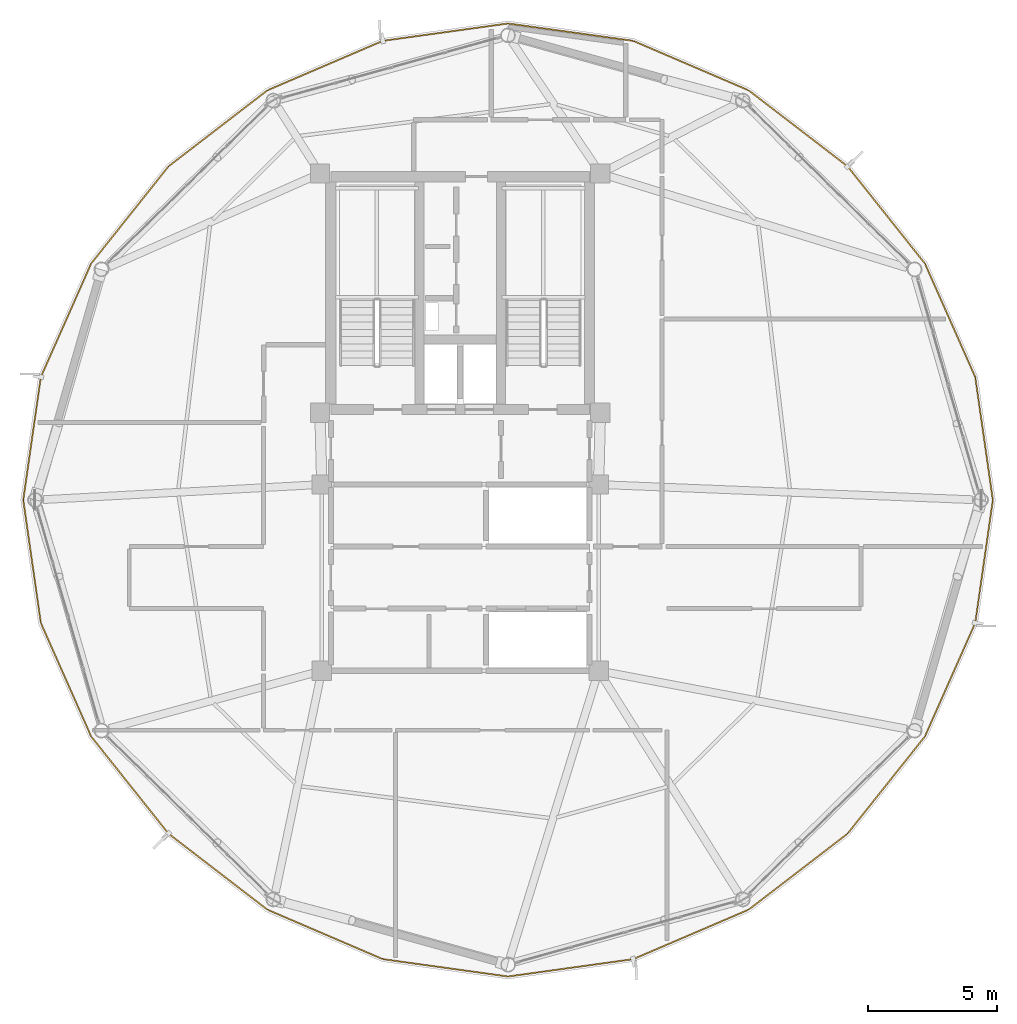
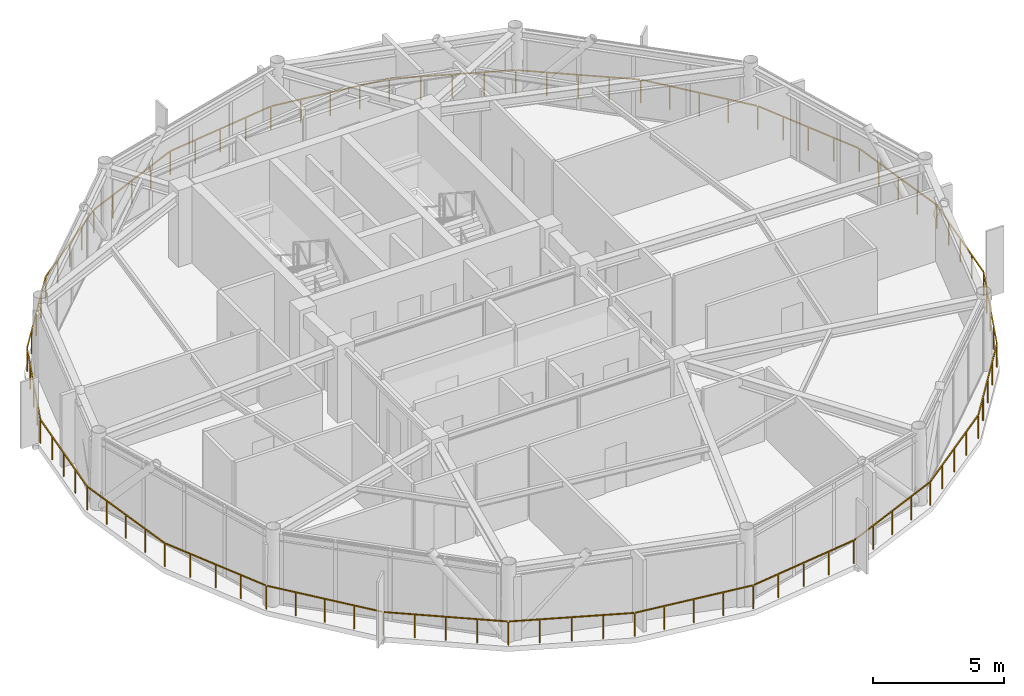
# One storey, part 24 of 25: 1 railing.
"""IFC4 building model written with IfcOpenShell, lengths in metres."""

from ifc_helpers import new_model, si_unit, direction, frame, origin, origin_2d, place, context, subcontext, project, spatial, rectangle, extrude, material, type_object, element, save


model = new_model("IFC4")

# Units and contexts
model_context = context("Model", 3, precision=1e-05, world=origin(), true_north=direction((0.0, 1.0)))
body_context = subcontext(model_context, "Body", "Model", "MODEL_VIEW")
ifc_project = project(units=[si_unit("LENGTHUNIT", "METRE"), si_unit("AREAUNIT", "SQUARE_METRE"), si_unit("VOLUMEUNIT", "CUBIC_METRE"), si_unit("PLANEANGLEUNIT", "RADIAN"), si_unit("MASSUNIT", "GRAM", prefix="KILO")], contexts=[model_context])

# Site, building, storey
site_placement = place(None, origin())
site = spatial("IfcSite", under=ifc_project, at=site_placement, CompositionType="ELEMENT")
building_placement = place(site_placement, origin())
building = spatial("IfcBuilding", under=site, at=building_placement, Name="Varnakorn Sky Granary", CompositionType="ELEMENT")
storey_placement = place(building_placement, frame((0.0, 0.0, 259.800048828125)))
storey = spatial("IfcBuildingStorey", under=building, at=storey_placement, Name="L66", CompositionType="ELEMENT", Elevation=259.800048828125)

# Railing
ifc_material = material(Name="Anodised Bronze Aluminium Alloy 6063-T6", Category="aluminium")
railing_type = type_object("IfcRailingType", Name="RL-BAL-1120", PredefinedType="BALUSTRADE", material=ifc_material)
railing_placement = place(storey_placement, frame((23.591064453125, 0.0, 0.0)))
element("IfcRailing", 1, at=railing_placement, inside=storey, type_object=railing_type, Name="Perimeter Slab-Edge Safety Guard L66", PredefinedType="BALUSTRADE", context=body_context, shape_type="SweptSolid", body=[
    extrude(rectangle(XDim=0.048095703125, YDim=0.048095703125, at=origin_2d()), frame((-0.00390625, -0.02783203125, 1.09619140625), z_axis=(-0.141933762911, -0.989876157378, 0.0), x_axis=(0.989876157378, -0.141933762911, 0.0)), (0.0, 0.0, 1.0), 4.74658203125),
    extrude(rectangle(XDim=0.048095703125, YDim=0.048095703125, at=origin_2d()), frame((-0.69287109375, -4.779541015625, 1.09619140625), z_axis=(-0.405279162, -0.914192977904, 0.0), x_axis=(0.914192977904, -0.405279162, 0.0)), (0.0, 0.0, 1.0), 4.74267578125),
    extrude(rectangle(XDim=0.048095703125, YDim=0.048095703125, at=origin_2d()), frame((-2.643798828125, -9.162841796875, 1.09619140625), z_axis=(-0.622683538336, -0.782473776612, 0.0), x_axis=(0.782473776612, -0.622683538336, 0.0)), (0.0, 0.0, 1.0), 4.74462890625),
    extrude(rectangle(XDim=0.048095703125, YDim=0.048095703125, at=origin_2d()), frame((-5.637939453125, -12.914306640625, 1.09619140625), z_axis=(-0.792834761882, -0.609436658195, 0.0), x_axis=(0.609436658195, -0.792834761882, 0.0)), (0.0, 0.0, 1.0), 4.765625),
    extrude(rectangle(XDim=0.048095703125, YDim=0.048095703125, at=origin_2d()), frame((-9.464111328125, -15.8466796875, 1.09619140625), z_axis=(-0.919132030854, -0.39394962858, 0.0), x_axis=(0.39394962858, -0.919132030854, 0.0)), (0.0, 0.0, 1.0), 4.801513671875),
    extrude(rectangle(XDim=0.048095703125, YDim=0.048095703125, at=origin_2d()), frame((-13.930908203125, -17.753173828125, 1.09619140625), z_axis=(-0.990527809402, -0.137312267482, 0.0), x_axis=(0.137312267482, -0.990527809402, 0.0)), (0.0, 0.0, 1.0), 4.828125),
    extrude(rectangle(XDim=0.048095703125, YDim=0.048095703125, at=origin_2d()), frame((-18.768798828125, -18.416015625, 1.09619140625), z_axis=(-0.990528751806, 0.137305469103, 0.0), x_axis=(-0.137305469103, -0.990528751806, 0.0)), (0.0, 0.0, 1.0), 4.828369140625),
    extrude(rectangle(XDim=0.048095703125, YDim=0.048095703125, at=origin_2d()), frame((-23.604736328125, -17.73828125, 1.09619140625), z_axis=(-0.919124229914, 0.393967828616, 0.0), x_axis=(-0.393967828616, -0.919124229914, 0.0)), (0.0, 0.0, 1.0), 4.80126953125),
    extrude(rectangle(XDim=0.048095703125, YDim=0.048095703125, at=origin_2d()), frame((-28.065673828125, -15.818603515625, 1.09619140625), z_axis=(-0.792853567058, 0.609412193186, 0.0), x_axis=(-0.609412193186, -0.792853567058, 0.0)), (0.0, 0.0, 1.0), 4.765869140625),
    extrude(rectangle(XDim=0.048095703125, YDim=0.048095703125, at=origin_2d()), frame((-31.8837890625, -12.875244140625, 1.09619140625), z_axis=(-0.622652399364, 0.782498555632, 0.0), x_axis=(-0.782498555632, -0.622652399364, 0.0)), (0.0, 0.0, 1.0), 4.744384765625),
    extrude(rectangle(XDim=0.048095703125, YDim=0.048095703125, at=origin_2d()), frame((-34.86669921875, -9.115234375, 1.09619140625), z_axis=(-0.40532168034, 0.91417412753, 0.0), x_axis=(-0.91417412753, -0.40532168034, 0.0)), (0.0, 0.0, 1.0), 4.742919921875),
    extrude(rectangle(XDim=0.048095703125, YDim=0.048095703125, at=origin_2d()), frame((-36.804443359375, -4.72607421875, 1.09619140625), z_axis=(-0.141933762911, 0.989876157378, 0.0), x_axis=(-0.989876157378, -0.141933762911, 0.0)), (0.0, 0.0, 1.0), 4.74658203125),
    extrude(rectangle(XDim=0.048095703125, YDim=0.048095703125, at=origin_2d()), frame((-37.478271484375, 0.02783203125, 1.09619140625), z_axis=(0.141933762911, 0.989876157378, 0.0), x_axis=(-0.989876157378, 0.141933762911, 0.0)), (0.0, 0.0, 1.0), 4.74658203125),
    extrude(rectangle(XDim=0.048095703125, YDim=0.048095703125, at=origin_2d()), frame((-36.789306640625, 4.779541015625, 1.09619140625), z_axis=(0.40532168034, 0.91417412753, 0.0), x_axis=(-0.91417412753, 0.40532168034, 0.0)), (0.0, 0.0, 1.0), 4.742919921875),
    extrude(rectangle(XDim=0.048095703125, YDim=0.048095703125, at=origin_2d()), frame((-34.838134765625, 9.162841796875, 1.09619140625), z_axis=(0.622652399364, 0.782498555632, 0.0), x_axis=(-0.782498555632, 0.622652399364, 0.0)), (0.0, 0.0, 1.0), 4.744384765625),
    extrude(rectangle(XDim=0.048095703125, YDim=0.048095703125, at=origin_2d()), frame((-31.84423828125, 12.914306640625, 1.09619140625), z_axis=(0.792853567058, 0.609412193186, 0.0), x_axis=(-0.609412193186, 0.792853567058, 0.0)), (0.0, 0.0, 1.0), 4.765869140625),
    extrude(rectangle(XDim=0.048095703125, YDim=0.048095703125, at=origin_2d()), frame((-28.017822265625, 15.8466796875, 1.09619140625), z_axis=(0.919124229914, 0.393967828616, 0.0), x_axis=(-0.393967828616, 0.919124229914, 0.0)), (0.0, 0.0, 1.0), 4.80126953125),
    extrude(rectangle(XDim=0.048095703125, YDim=0.048095703125, at=origin_2d()), frame((-23.55126953125, 17.753173828125, 1.09619140625), z_axis=(0.990528751806, 0.137305469103, 0.0), x_axis=(-0.137305469103, 0.990528751806, 0.0)), (0.0, 0.0, 1.0), 4.828369140625),
    extrude(rectangle(XDim=0.048095703125, YDim=0.048095703125, at=origin_2d()), frame((-18.713134765625, 18.416015625, 1.09619140625), z_axis=(0.990527809402, -0.137312267482, 0.0), x_axis=(0.137312267482, 0.990527809402, 0.0)), (0.0, 0.0, 1.0), 4.828125),
    extrude(rectangle(XDim=0.048095703125, YDim=0.048095703125, at=origin_2d()), frame((-13.87744140625, 17.73828125, 1.09619140625), z_axis=(0.919132030854, -0.39394962858, 0.0), x_axis=(0.39394962858, 0.919132030854, 0.0)), (0.0, 0.0, 1.0), 4.801513671875),
    extrude(rectangle(XDim=0.048095703125, YDim=0.048095703125, at=origin_2d()), frame((-9.416259765625, 15.818603515625, 1.09619140625), z_axis=(0.792834761882, -0.609436658195, 0.0), x_axis=(0.609436658195, 0.792834761882, 0.0)), (0.0, 0.0, 1.0), 4.765625),
    extrude(rectangle(XDim=0.048095703125, YDim=0.048095703125, at=origin_2d()), frame((-5.598388671875, 12.875244140625, 1.09619140625), z_axis=(0.622683538336, -0.782473776612, 0.0), x_axis=(0.782473776612, 0.622683538336, 0.0)), (0.0, 0.0, 1.0), 4.74462890625),
    extrude(rectangle(XDim=0.048095703125, YDim=0.048095703125, at=origin_2d()), frame((-2.615234375, 9.115234375, 1.09619140625), z_axis=(0.405279162, -0.914192977904, 0.0), x_axis=(0.914192977904, 0.405279162, 0.0)), (0.0, 0.0, 1.0), 4.74267578125),
    extrude(rectangle(XDim=0.048095703125, YDim=0.048095703125, at=origin_2d()), frame((-0.677734375, 4.72607421875, 1.09619140625), z_axis=(0.141933762911, -0.989876157378, 0.0), x_axis=(0.989876157378, 0.141933762911, 0.0)), (0.0, 0.0, 1.0), 4.74658203125),
    extrude(rectangle(XDim=0.0419921875, YDim=0.0419921875, at=origin_2d()), origin(), (0.0, 0.0, 1.0), 1.068115234375),
    extrude(rectangle(XDim=0.0419921875, YDim=0.0419921875, at=origin_2d()), frame((-0.17041015625, -1.1884765625, 0.0)), (0.0, 0.0, 1.0), 1.068115234375),
    extrude(rectangle(XDim=0.0419921875, YDim=0.0419921875, at=origin_2d()), frame((-0.3408203125, -2.376953125, 0.0)), (0.0, 0.0, 1.0), 1.068115234375),
    extrude(rectangle(XDim=0.0419921875, YDim=0.0419921875, at=origin_2d()), frame((-0.51123046875, -3.5654296875, 0.0)), (0.0, 0.0, 1.0), 1.068115234375),
    extrude(rectangle(XDim=0.0419921875, YDim=0.0419921875, at=origin_2d()), frame((-0.681640625, -4.75390625, 0.0)), (0.0, 0.0, 1.0), 1.068115234375),
    extrude(rectangle(XDim=0.0419921875, YDim=0.0419921875, at=origin_2d()), frame((-1.16796875, -5.8505859375, 0.0)), (0.0, 0.0, 1.0), 1.068115234375),
    extrude(rectangle(XDim=0.0419921875, YDim=0.0419921875, at=origin_2d()), frame((-1.654052734375, -6.947265625, 0.0)), (0.0, 0.0, 1.0), 1.068115234375),
    extrude(rectangle(XDim=0.0419921875, YDim=0.0419921875, at=origin_2d()), frame((-2.14013671875, -8.044189453125, 0.0)), (0.0, 0.0, 1.0), 1.068115234375),
    extrude(rectangle(XDim=0.0419921875, YDim=0.0419921875, at=origin_2d()), frame((-2.62646484375, -9.140869140625, 0.0)), (0.0, 0.0, 1.0), 1.068115234375),
    extrude(rectangle(XDim=0.0419921875, YDim=0.0419921875, at=origin_2d()), frame((-3.373779296875, -10.080078125, 0.0)), (0.0, 0.0, 1.0), 1.068115234375),
    extrude(rectangle(XDim=0.0419921875, YDim=0.0419921875, at=origin_2d()), frame((-4.12109375, -11.01904296875, 0.0)), (0.0, 0.0, 1.0), 1.068115234375),
    extrude(rectangle(XDim=0.0419921875, YDim=0.0419921875, at=origin_2d()), frame((-4.868408203125, -11.9580078125, 0.0)), (0.0, 0.0, 1.0), 1.068115234375),
    extrude(rectangle(XDim=0.0419921875, YDim=0.0419921875, at=origin_2d()), frame((-5.61572265625, -12.897216796875, 0.0)), (0.0, 0.0, 1.0), 1.068115234375),
    extrude(rectangle(XDim=0.0419921875, YDim=0.0419921875, at=origin_2d()), frame((-6.5712890625, -13.6318359375, 0.0)), (0.0, 0.0, 1.0), 1.068115234375),
    extrude(rectangle(XDim=0.0419921875, YDim=0.0419921875, at=origin_2d()), frame((-7.527099609375, -14.366455078125, 0.0)), (0.0, 0.0, 1.0), 1.068115234375),
    extrude(rectangle(XDim=0.0419921875, YDim=0.0419921875, at=origin_2d()), frame((-8.48291015625, -15.10107421875, 0.0)), (0.0, 0.0, 1.0), 1.068115234375),
    extrude(rectangle(XDim=0.0419921875, YDim=0.0419921875, at=origin_2d()), frame((-9.4384765625, -15.835693359375, 0.0)), (0.0, 0.0, 1.0), 1.068115234375),
    extrude(rectangle(XDim=0.0419921875, YDim=0.0419921875, at=origin_2d()), frame((-10.5546875, -16.31396484375, 0.0)), (0.0, 0.0, 1.0), 1.068115234375),
    extrude(rectangle(XDim=0.0419921875, YDim=0.0419921875, at=origin_2d()), frame((-11.6708984375, -16.79248046875, 0.0)), (0.0, 0.0, 1.0), 1.068115234375),
    extrude(rectangle(XDim=0.0419921875, YDim=0.0419921875, at=origin_2d()), frame((-12.786865234375, -17.27099609375, 0.0)), (0.0, 0.0, 1.0), 1.068115234375),
    extrude(rectangle(XDim=0.0419921875, YDim=0.0419921875, at=origin_2d()), frame((-13.903076171875, -17.749267578125, 0.0)), (0.0, 0.0, 1.0), 1.068115234375),
    extrude(rectangle(XDim=0.0419921875, YDim=0.0419921875, at=origin_2d()), frame((-15.112548828125, -17.9169921875, 0.0)), (0.0, 0.0, 1.0), 1.068115234375),
    extrude(rectangle(XDim=0.0419921875, YDim=0.0419921875, at=origin_2d()), frame((-16.322021484375, -18.08447265625, 0.0)), (0.0, 0.0, 1.0), 1.068115234375),
    extrude(rectangle(XDim=0.0419921875, YDim=0.0419921875, at=origin_2d()), frame((-17.531494140625, -18.252197265625, 0.0)), (0.0, 0.0, 1.0), 1.068115234375),
    extrude(rectangle(XDim=0.0419921875, YDim=0.0419921875, at=origin_2d()), frame((-18.740966796875, -18.419921875, 0.0)), (0.0, 0.0, 1.0), 1.068115234375),
    extrude(rectangle(XDim=0.0419921875, YDim=0.0419921875, at=origin_2d()), frame((-19.950439453125, -18.252197265625, 0.0)), (0.0, 0.0, 1.0), 1.068115234375),
    extrude(rectangle(XDim=0.0419921875, YDim=0.0419921875, at=origin_2d()), frame((-21.16015625, -18.08447265625, 0.0)), (0.0, 0.0, 1.0), 1.068115234375),
    extrude(rectangle(XDim=0.0419921875, YDim=0.0419921875, at=origin_2d()), frame((-22.36962890625, -17.9169921875, 0.0)), (0.0, 0.0, 1.0), 1.068115234375),
    extrude(rectangle(XDim=0.0419921875, YDim=0.0419921875, at=origin_2d()), frame((-23.5791015625, -17.749267578125, 0.0)), (0.0, 0.0, 1.0), 1.068115234375),
    extrude(rectangle(XDim=0.0419921875, YDim=0.0419921875, at=origin_2d()), frame((-24.6953125, -17.27099609375, 0.0)), (0.0, 0.0, 1.0), 1.068115234375),
    extrude(rectangle(XDim=0.0419921875, YDim=0.0419921875, at=origin_2d()), frame((-25.811279296875, -16.79248046875, 0.0)), (0.0, 0.0, 1.0), 1.068115234375),
    extrude(rectangle(XDim=0.0419921875, YDim=0.0419921875, at=origin_2d()), frame((-26.92724609375, -16.31396484375, 0.0)), (0.0, 0.0, 1.0), 1.068115234375),
    extrude(rectangle(XDim=0.0419921875, YDim=0.0419921875, at=origin_2d()), frame((-28.04345703125, -15.835693359375, 0.0)), (0.0, 0.0, 1.0), 1.068115234375),
    extrude(rectangle(XDim=0.0419921875, YDim=0.0419921875, at=origin_2d()), frame((-28.999267578125, -15.10107421875, 0.0)), (0.0, 0.0, 1.0), 1.068115234375),
    extrude(rectangle(XDim=0.0419921875, YDim=0.0419921875, at=origin_2d()), frame((-29.955078125, -14.366455078125, 0.0)), (0.0, 0.0, 1.0), 1.068115234375),
    extrude(rectangle(XDim=0.0419921875, YDim=0.0419921875, at=origin_2d()), frame((-30.91064453125, -13.6318359375, 0.0)), (0.0, 0.0, 1.0), 1.068115234375),
    extrude(rectangle(XDim=0.0419921875, YDim=0.0419921875, at=origin_2d()), frame((-31.866455078125, -12.897216796875, 0.0)), (0.0, 0.0, 1.0), 1.068115234375),
    extrude(rectangle(XDim=0.0419921875, YDim=0.0419921875, at=origin_2d()), frame((-32.61376953125, -11.9580078125, 0.0)), (0.0, 0.0, 1.0), 1.068115234375),
    extrude(rectangle(XDim=0.0419921875, YDim=0.0419921875, at=origin_2d()), frame((-33.36083984375, -11.01904296875, 0.0)), (0.0, 0.0, 1.0), 1.068115234375),
    extrude(rectangle(XDim=0.0419921875, YDim=0.0419921875, at=origin_2d()), frame((-34.108154296875, -10.080078125, 0.0)), (0.0, 0.0, 1.0), 1.068115234375),
    extrude(rectangle(XDim=0.0419921875, YDim=0.0419921875, at=origin_2d()), frame((-34.85546875, -9.140869140625, 0.0)), (0.0, 0.0, 1.0), 1.068115234375),
    extrude(rectangle(XDim=0.0419921875, YDim=0.0419921875, at=origin_2d()), frame((-35.341796875, -8.044189453125, 0.0)), (0.0, 0.0, 1.0), 1.068115234375),
    extrude(rectangle(XDim=0.0419921875, YDim=0.0419921875, at=origin_2d()), frame((-35.828125, -6.947265625, 0.0)), (0.0, 0.0, 1.0), 1.068115234375),
    extrude(rectangle(XDim=0.0419921875, YDim=0.0419921875, at=origin_2d()), frame((-36.314208984375, -5.8505859375, 0.0)), (0.0, 0.0, 1.0), 1.068115234375),
    extrude(rectangle(XDim=0.0419921875, YDim=0.0419921875, at=origin_2d()), frame((-36.800537109375, -4.75390625, 0.0)), (0.0, 0.0, 1.0), 1.068115234375),
    extrude(rectangle(XDim=0.0419921875, YDim=0.0419921875, at=origin_2d()), frame((-36.970947265625, -3.5654296875, 0.0)), (0.0, 0.0, 1.0), 1.068115234375),
    extrude(rectangle(XDim=0.0419921875, YDim=0.0419921875, at=origin_2d()), frame((-37.141357421875, -2.376953125, 0.0)), (0.0, 0.0, 1.0), 1.068115234375),
    extrude(rectangle(XDim=0.0419921875, YDim=0.0419921875, at=origin_2d()), frame((-37.311767578125, -1.1884765625, 0.0)), (0.0, 0.0, 1.0), 1.068115234375),
    extrude(rectangle(XDim=0.0419921875, YDim=0.0419921875, at=origin_2d()), frame((-37.482177734375, 0.0, 0.0)), (0.0, 0.0, 1.0), 1.068115234375),
    extrude(rectangle(XDim=0.0419921875, YDim=0.0419921875, at=origin_2d()), frame((-37.311767578125, 1.1884765625, 0.0)), (0.0, 0.0, 1.0), 1.068115234375),
    extrude(rectangle(XDim=0.0419921875, YDim=0.0419921875, at=origin_2d()), frame((-37.141357421875, 2.376953125, 0.0)), (0.0, 0.0, 1.0), 1.068115234375),
    extrude(rectangle(XDim=0.0419921875, YDim=0.0419921875, at=origin_2d()), frame((-36.970947265625, 3.5654296875, 0.0)), (0.0, 0.0, 1.0), 1.068115234375),
    extrude(rectangle(XDim=0.0419921875, YDim=0.0419921875, at=origin_2d()), frame((-36.800537109375, 4.75390625, 0.0)), (0.0, 0.0, 1.0), 1.068115234375),
    extrude(rectangle(XDim=0.0419921875, YDim=0.0419921875, at=origin_2d()), frame((-36.314208984375, 5.8505859375, 0.0)), (0.0, 0.0, 1.0), 1.068115234375),
    extrude(rectangle(XDim=0.0419921875, YDim=0.0419921875, at=origin_2d()), frame((-35.828125, 6.947265625, 0.0)), (0.0, 0.0, 1.0), 1.068115234375),
    extrude(rectangle(XDim=0.0419921875, YDim=0.0419921875, at=origin_2d()), frame((-35.341796875, 8.044189453125, 0.0)), (0.0, 0.0, 1.0), 1.068115234375),
    extrude(rectangle(XDim=0.0419921875, YDim=0.0419921875, at=origin_2d()), frame((-34.85546875, 9.140869140625, 0.0)), (0.0, 0.0, 1.0), 1.068115234375),
    extrude(rectangle(XDim=0.0419921875, YDim=0.0419921875, at=origin_2d()), frame((-34.108154296875, 10.080078125, 0.0)), (0.0, 0.0, 1.0), 1.068115234375),
    extrude(rectangle(XDim=0.0419921875, YDim=0.0419921875, at=origin_2d()), frame((-33.36083984375, 11.01904296875, 0.0)), (0.0, 0.0, 1.0), 1.068115234375),
    extrude(rectangle(XDim=0.0419921875, YDim=0.0419921875, at=origin_2d()), frame((-32.61376953125, 11.9580078125, 0.0)), (0.0, 0.0, 1.0), 1.068115234375),
    extrude(rectangle(XDim=0.0419921875, YDim=0.0419921875, at=origin_2d()), frame((-31.866455078125, 12.897216796875, 0.0)), (0.0, 0.0, 1.0), 1.068115234375),
    extrude(rectangle(XDim=0.0419921875, YDim=0.0419921875, at=origin_2d()), frame((-30.91064453125, 13.6318359375, 0.0)), (0.0, 0.0, 1.0), 1.068115234375),
    extrude(rectangle(XDim=0.0419921875, YDim=0.0419921875, at=origin_2d()), frame((-29.955078125, 14.366455078125, 0.0)), (0.0, 0.0, 1.0), 1.068115234375),
    extrude(rectangle(XDim=0.0419921875, YDim=0.0419921875, at=origin_2d()), frame((-28.999267578125, 15.10107421875, 0.0)), (0.0, 0.0, 1.0), 1.068115234375),
    extrude(rectangle(XDim=0.0419921875, YDim=0.0419921875, at=origin_2d()), frame((-28.04345703125, 15.835693359375, 0.0)), (0.0, 0.0, 1.0), 1.068115234375),
    extrude(rectangle(XDim=0.0419921875, YDim=0.0419921875, at=origin_2d()), frame((-26.92724609375, 16.31396484375, 0.0)), (0.0, 0.0, 1.0), 1.068115234375),
    extrude(rectangle(XDim=0.0419921875, YDim=0.0419921875, at=origin_2d()), frame((-25.811279296875, 16.79248046875, 0.0)), (0.0, 0.0, 1.0), 1.068115234375),
    extrude(rectangle(XDim=0.0419921875, YDim=0.0419921875, at=origin_2d()), frame((-24.6953125, 17.27099609375, 0.0)), (0.0, 0.0, 1.0), 1.068115234375),
    extrude(rectangle(XDim=0.0419921875, YDim=0.0419921875, at=origin_2d()), frame((-23.5791015625, 17.749267578125, 0.0)), (0.0, 0.0, 1.0), 1.068115234375),
    extrude(rectangle(XDim=0.0419921875, YDim=0.0419921875, at=origin_2d()), frame((-22.36962890625, 17.9169921875, 0.0)), (0.0, 0.0, 1.0), 1.068115234375),
    extrude(rectangle(XDim=0.0419921875, YDim=0.0419921875, at=origin_2d()), frame((-21.16015625, 18.08447265625, 0.0)), (0.0, 0.0, 1.0), 1.068115234375),
    extrude(rectangle(XDim=0.0419921875, YDim=0.0419921875, at=origin_2d()), frame((-19.950439453125, 18.252197265625, 0.0)), (0.0, 0.0, 1.0), 1.068115234375),
    extrude(rectangle(XDim=0.0419921875, YDim=0.0419921875, at=origin_2d()), frame((-18.740966796875, 18.419921875, 0.0)), (0.0, 0.0, 1.0), 1.068115234375),
    extrude(rectangle(XDim=0.0419921875, YDim=0.0419921875, at=origin_2d()), frame((-17.531494140625, 18.252197265625, 0.0)), (0.0, 0.0, 1.0), 1.068115234375),
    extrude(rectangle(XDim=0.0419921875, YDim=0.0419921875, at=origin_2d()), frame((-16.322021484375, 18.08447265625, 0.0)), (0.0, 0.0, 1.0), 1.068115234375),
    extrude(rectangle(XDim=0.0419921875, YDim=0.0419921875, at=origin_2d()), frame((-15.112548828125, 17.9169921875, 0.0)), (0.0, 0.0, 1.0), 1.068115234375),
    extrude(rectangle(XDim=0.0419921875, YDim=0.0419921875, at=origin_2d()), frame((-13.903076171875, 17.749267578125, 0.0)), (0.0, 0.0, 1.0), 1.068115234375),
    extrude(rectangle(XDim=0.0419921875, YDim=0.0419921875, at=origin_2d()), frame((-12.786865234375, 17.27099609375, 0.0)), (0.0, 0.0, 1.0), 1.068115234375),
    extrude(rectangle(XDim=0.0419921875, YDim=0.0419921875, at=origin_2d()), frame((-11.6708984375, 16.79248046875, 0.0)), (0.0, 0.0, 1.0), 1.068115234375),
    extrude(rectangle(XDim=0.0419921875, YDim=0.0419921875, at=origin_2d()), frame((-10.5546875, 16.31396484375, 0.0)), (0.0, 0.0, 1.0), 1.068115234375),
    extrude(rectangle(XDim=0.0419921875, YDim=0.0419921875, at=origin_2d()), frame((-9.4384765625, 15.835693359375, 0.0)), (0.0, 0.0, 1.0), 1.068115234375),
    extrude(rectangle(XDim=0.0419921875, YDim=0.0419921875, at=origin_2d()), frame((-8.48291015625, 15.10107421875, 0.0)), (0.0, 0.0, 1.0), 1.068115234375),
    extrude(rectangle(XDim=0.0419921875, YDim=0.0419921875, at=origin_2d()), frame((-7.527099609375, 14.366455078125, 0.0)), (0.0, 0.0, 1.0), 1.068115234375),
    extrude(rectangle(XDim=0.0419921875, YDim=0.0419921875, at=origin_2d()), frame((-6.5712890625, 13.6318359375, 0.0)), (0.0, 0.0, 1.0), 1.068115234375),
    extrude(rectangle(XDim=0.0419921875, YDim=0.0419921875, at=origin_2d()), frame((-5.61572265625, 12.897216796875, 0.0)), (0.0, 0.0, 1.0), 1.068115234375),
    extrude(rectangle(XDim=0.0419921875, YDim=0.0419921875, at=origin_2d()), frame((-4.868408203125, 11.9580078125, 0.0)), (0.0, 0.0, 1.0), 1.068115234375),
    extrude(rectangle(XDim=0.0419921875, YDim=0.0419921875, at=origin_2d()), frame((-4.12109375, 11.01904296875, 0.0)), (0.0, 0.0, 1.0), 1.068115234375),
    extrude(rectangle(XDim=0.0419921875, YDim=0.0419921875, at=origin_2d()), frame((-3.373779296875, 10.080078125, 0.0)), (0.0, 0.0, 1.0), 1.068115234375),
    extrude(rectangle(XDim=0.0419921875, YDim=0.0419921875, at=origin_2d()), frame((-2.62646484375, 9.140869140625, 0.0)), (0.0, 0.0, 1.0), 1.068115234375),
    extrude(rectangle(XDim=0.0419921875, YDim=0.0419921875, at=origin_2d()), frame((-2.14013671875, 8.044189453125, 0.0)), (0.0, 0.0, 1.0), 1.068115234375),
    extrude(rectangle(XDim=0.0419921875, YDim=0.0419921875, at=origin_2d()), frame((-1.654052734375, 6.947265625, 0.0)), (0.0, 0.0, 1.0), 1.068115234375),
    extrude(rectangle(XDim=0.0419921875, YDim=0.0419921875, at=origin_2d()), frame((-1.16796875, 5.8505859375, 0.0)), (0.0, 0.0, 1.0), 1.068115234375),
    extrude(rectangle(XDim=0.0419921875, YDim=0.0419921875, at=origin_2d()), frame((-0.681640625, 4.75390625, 0.0)), (0.0, 0.0, 1.0), 1.068115234375),
    extrude(rectangle(XDim=0.0419921875, YDim=0.0419921875, at=origin_2d()), frame((-0.51123046875, 3.5654296875, 0.0)), (0.0, 0.0, 1.0), 1.068115234375),
    extrude(rectangle(XDim=0.0419921875, YDim=0.0419921875, at=origin_2d()), frame((-0.3408203125, 2.376953125, 0.0)), (0.0, 0.0, 1.0), 1.068115234375),
    extrude(rectangle(XDim=0.0419921875, YDim=0.0419921875, at=origin_2d()), frame((-0.17041015625, 1.1884765625, 0.0)), (0.0, 0.0, 1.0), 1.068115234375),
])

save(model, "model.ifc")
